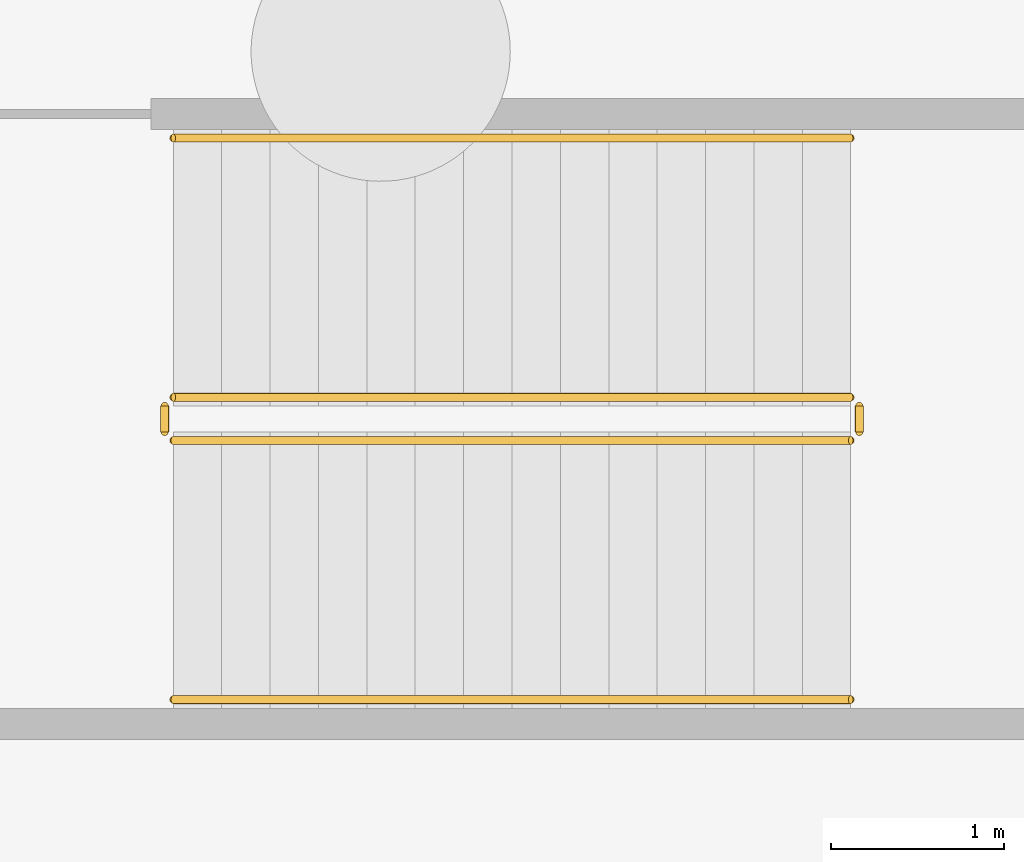
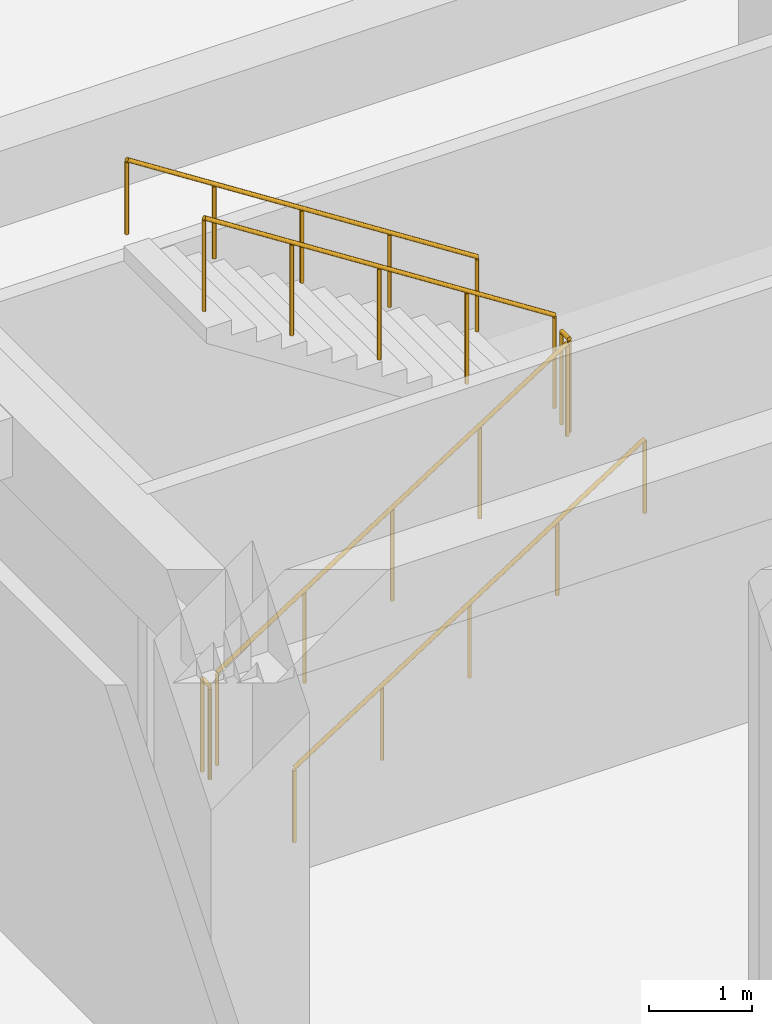
# One storey, part 14 of 18: 6 railings.
"""IFC4 building model written with IfcOpenShell, lengths in metres."""

import ifcopenshell
import ifcopenshell.guid

model = None  # the IFC model being written
_history = None  # IfcOwnerHistory: only IFC2X3 demands one
_inside = {}  # id of a spatial element -> (the spatial element, [elements in it])
_under = {}  # id of a project, library or spatial element -> (it, [spatial elements below it])
_declared = {}  # id of a project -> (the project, [libraries it declares])
_typed = {}  # id of a type object -> (the type object, [elements of that type])
_made_of = {}  # id of a material, layer set ... -> (it, [elements and type objects made of it])


def new_model(schema):
    """Start an empty IFC model of exactly this schema.

    Asked for "IFC4X3", IfcOpenShell would pick the latest addendum, in which some entities
    have other attributes; the version numbers below select the first issue.
    IFC2X3 requires an IfcOwnerHistory on every rooted entity: one is made here for all.
    """
    global model, _history
    if schema == "IFC4X3":
        model = ifcopenshell.file(schema_version=(4, 3, 0, 0))
    else:
        model = ifcopenshell.file(schema=schema)
    _inside.clear()
    _under.clear()
    _declared.clear()
    _typed.clear()
    _made_of.clear()
    _history = None
    if model.schema == "IFC2X3":
        org = make("IfcOrganization", Name="unknown")
        user = make(
            "IfcPersonAndOrganization",
            ThePerson=make("IfcPerson", FamilyName="unknown"),
            TheOrganization=org,
        )
        app = make(
            "IfcApplication",
            ApplicationDeveloper=org,
            Version="unknown",
            ApplicationFullName="unknown",
            ApplicationIdentifier="unknown",
        )
        _history = make(
            "IfcOwnerHistory",
            OwningUser=user,
            OwningApplication=app,
            ChangeAction="ADDED",
            CreationDate=0,
        )
    return model


def make(cls, **values):
    """One entity of the class cls with the attributes given. An attribute that is None is left unset."""
    return model.create_entity(
        cls, **{name: value for name, value in values.items() if value is not None}
    )


def rooted(cls, **values):
    """An entity with a GlobalId (a new one), such as an element, a storey or a relation."""
    return make(cls, GlobalId=ifcopenshell.guid.new(), OwnerHistory=_history, **values)


def si_unit(unit_type, name, prefix=None):
    """IfcSIUnit, for example si_unit("LENGTHUNIT", "METRE", prefix="MILLI")."""
    return make("IfcSIUnit", UnitType=unit_type, Prefix=prefix, Name=name)


def assignment(units):
    """IfcUnitAssignment: the units of a project."""
    return None if units is None else make("IfcUnitAssignment", Units=units)


def point(xyz):
    """IfcCartesianPoint."""
    return None if xyz is None else make("IfcCartesianPoint", Coordinates=xyz)


def direction(xyz):
    """IfcDirection."""
    return None if xyz is None else make("IfcDirection", DirectionRatios=xyz)


def frame(location, z_axis=None, x_axis=None):
    """IfcAxis2Placement3D, a coordinate frame: its origin and axes. An axis left out is left unset."""
    return make(
        "IfcAxis2Placement3D",
        Location=point(location),
        Axis=direction(z_axis),
        RefDirection=direction(x_axis),
    )


def frame_2d(location, x_axis=None):
    """IfcAxis2Placement2D, a coordinate frame in the plane: its origin and x axis."""
    return make(
        "IfcAxis2Placement2D", Location=point(location), RefDirection=direction(x_axis)
    )


def origin():
    """The frame at (0, 0, 0) with its axes left unset."""
    return frame((0.0, 0.0, 0.0))


def origin_2d():
    """The frame at (0, 0) in the plane with its x axis left unset."""
    return frame_2d((0.0, 0.0))


def place(relative_to, where):
    """IfcLocalPlacement: puts the frame where relative to a parent placement (None: the world)."""
    return make(
        "IfcLocalPlacement", PlacementRelTo=relative_to, RelativePlacement=where
    )


def context(
    kind, dimensions, precision=None, world=None, true_north=None, identifier=None
):
    """IfcGeometricRepresentationContext, for example the 3D "Model" context."""
    return make(
        "IfcGeometricRepresentationContext",
        ContextIdentifier=identifier,
        ContextType=kind,
        CoordinateSpaceDimension=dimensions,
        Precision=precision,
        WorldCoordinateSystem=world,
        TrueNorth=true_north,
    )


def subcontext(parent, identifier, kind, view, scale=None):
    """IfcGeometricRepresentationSubContext, for example "Body" below "Model"."""
    return make(
        "IfcGeometricRepresentationSubContext",
        ContextIdentifier=identifier,
        ContextType=kind,
        ParentContext=parent,
        TargetScale=scale,
        TargetView=view,
    )


def project(units=None, contexts=None):
    """IfcProject with its units and contexts."""
    return rooted(
        "IfcProject",
        Name="project",
        RepresentationContexts=contexts,
        UnitsInContext=assignment(units),
    )


def spatial(cls, under=None, at=None, **own):
    """A site, building, storey or space (cls), placed at a placement, below another one or the project."""
    s = rooted(cls, ObjectPlacement=at, **own)
    if under is not None:
        _under.setdefault(under.id(), (under, []))[1].append(s)
    return s


def profile(cls, at=None, kind="AREA", **sizes):
    """A parametric profile (cls). Its sizes go by their IFC names, for example OverallWidth=200.0."""
    return make(cls, ProfileType=kind, Position=at, **sizes)


def circle(**sizes):
    """IfcCircleProfileDef."""
    return profile("IfcCircleProfileDef", **sizes)


def extrude(swept, where, along, depth):
    """IfcExtrudedAreaSolid: the profile swept, set in the frame where, extruded along a direction by depth."""
    return make(
        "IfcExtrudedAreaSolid",
        SweptArea=swept,
        Position=where,
        ExtrudedDirection=direction(along),
        Depth=depth,
    )


def shape(context_of_items, identifier, shape_type, items):
    """IfcShapeRepresentation: the items that make up one representation, for example the "Body"."""
    return make(
        "IfcShapeRepresentation",
        ContextOfItems=context_of_items,
        RepresentationIdentifier=identifier,
        RepresentationType=shape_type,
        Items=items,
    )


def material(Name=None, Category=None):
    """IfcMaterial."""
    return make("IfcMaterial", Name=Name, Category=Category)


def made_of(thing, what):
    """Note that an element or type object is made of a material, layer set ...; save() writes the relation."""
    if what is not None:
        _made_of.setdefault(what.id(), (what, []))[1].append(thing)
    return thing


def type_object(cls, material=None, **own):
    """A type object (cls), such as IfcWallType, which elements share."""
    return made_of(rooted(cls, **own), material)


def element(
    cls,
    number,
    at=None,
    inside=None,
    cuts=None,
    type_object=None,
    material=None,
    context=None,
    identifier="Body",
    shape_type=None,
    held_by="IfcProductDefinitionShape",
    body=None,
    shapes=None,
    **own,
):
    """One element of the class cls, such as IfcWall. Its Tag is "e" and its number.

    at: its placement. inside: the storey or other place that contains it. cuts: it is an
    opening in that element (IfcRelVoidsElement). A single representation is given by context,
    identifier, shape_type and body (its items); several are given by shapes. held_by: the class
    of the entity that holds the representations. save() writes the other relations.
    """
    e = rooted(cls, Tag="e%d" % number, ObjectPlacement=at, **own)
    if body is not None:
        shapes = [shape(context, identifier, shape_type, body)]
    if shapes is not None:
        e.Representation = make(held_by, Representations=shapes)
    if inside is not None:
        _inside.setdefault(inside.id(), (inside, []))[1].append(e)
    if cuts is not None:
        rooted(
            "IfcRelVoidsElement", RelatingBuildingElement=cuts, RelatedOpeningElement=e
        )
    if type_object is not None:
        _typed.setdefault(type_object.id(), (type_object, []))[1].append(e)
    return made_of(e, material)


def aggregate(whole, parts):
    """IfcRelAggregates: a whole, such as a stair, and the parts it consists of."""
    return rooted("IfcRelAggregates", RelatingObject=whole, RelatedObjects=parts)


def save(model, path):
    """Write the relations noted so far, then the file.

    IfcRelAggregates (storeys below a building ...), IfcRelContainedInSpatialStructure (elements
    in a storey), IfcRelDefinesByType, IfcRelAssociatesMaterial and IfcRelDeclares: one each for
    every whole, place, type object, material and project.
    """
    for whole, parts in _under.values():
        aggregate(whole, parts)
    for where, things in _inside.values():
        rooted(
            "IfcRelContainedInSpatialStructure",
            RelatedElements=things,
            RelatingStructure=where,
        )
    for kind, things in _typed.values():
        rooted("IfcRelDefinesByType", RelatedObjects=things, RelatingType=kind)
    for what, things in _made_of.values():
        rooted("IfcRelAssociatesMaterial", RelatedObjects=things, RelatingMaterial=what)
    for by, libraries in _declared.values():
        rooted("IfcRelDeclares", RelatingContext=by, RelatedDefinitions=libraries)
    model.write(path)


model = new_model("IFC4")

# Units and contexts
model_context = context("Model", 3, precision=1e-05, world=origin(), true_north=direction((0.0, 1.0)))
body_context = subcontext(model_context, "Body", "Model", "MODEL_VIEW")
ifc_project = project(units=[si_unit("LENGTHUNIT", "METRE"), si_unit("AREAUNIT", "SQUARE_METRE"), si_unit("VOLUMEUNIT", "CUBIC_METRE"), si_unit("PLANEANGLEUNIT", "RADIAN"), si_unit("MASSUNIT", "GRAM", prefix="KILO")], contexts=[model_context])

# Site, building, storey
site_placement = place(None, origin())
site = spatial("IfcSite", under=ifc_project, at=site_placement, CompositionType="ELEMENT")
building_placement = place(site_placement, origin())
building = spatial("IfcBuilding", under=site, at=building_placement, Name="Saevonmaru Cultural Tower", CompositionType="ELEMENT")
storey_placement = place(building_placement, frame((0.0, 0.0, -10.800048828125)))
storey = spatial("IfcBuildingStorey", under=building, at=storey_placement, Name="B2", CompositionType="ELEMENT", Elevation=-10.800048828125)

# Railings
ifc_material_1 = material(Name="Architectural Painted Steel", Category="steel")
railing_type_1 = type_object("IfcRailingType", Name="RL-STAIR-GUARD", PredefinedType="GUARDRAIL", material=ifc_material_1)
railing_1_placement = place(storey_placement, frame((49.800048828125, 19.75, 0.179931640625)))
element("IfcRailing", 1, at=railing_1_placement, inside=storey, type_object=railing_type_1, Name="B2 SST-2 stair guard 1", PredefinedType="GUARDRAIL", context=body_context, shape_type="SweptSolid", body=[
    extrude(circle(Radius=0.02392578125, at=origin_2d()), frame((0.0, 0.0, 1.09619140625), z_axis=(0.841171666519, 0.0, 0.540768182723), x_axis=(0.0, 1.0, 0.0)), (0.0, 0.0, 1.0), 4.66015625),
    extrude(circle(Radius=0.02099609375, at=origin_2d()), origin(), (0.0, 0.0, 1.0), 1.072021484375),
    extrude(circle(Radius=0.02099609375, at=origin_2d()), frame((0.97998046875, 0.0, 0.6298828125)), (0.0, 0.0, 1.0), 1.072021484375),
    extrude(circle(Radius=0.02099609375, at=origin_2d()), frame((1.9599609375, 0.0, 1.260009765625)), (0.0, 0.0, 1.0), 1.072021484375),
    extrude(circle(Radius=0.02099609375, at=origin_2d()), frame((2.93994140625, 0.0, 1.89013671875)), (0.0, 0.0, 1.0), 1.072021484375),
    extrude(circle(Radius=0.02099609375, at=origin_2d()), frame((3.919921875, 0.0, 2.52001953125)), (0.0, 0.0, 1.0), 1.072021484375),
])
railing_2_placement = place(storey_placement, frame((53.77001953125, 19.800048828125, 2.699951171875)))
element("IfcRailing", 2, at=railing_2_placement, inside=storey, type_object=railing_type_1, Name="B2 SST-2 stair guard 2", PredefinedType="GUARDRAIL", context=body_context, shape_type="SweptSolid", body=[
    extrude(circle(Radius=0.02392578125, at=origin_2d()), frame((0.0, 0.0, 1.09619140625), z_axis=(0.0, 1.0, 0.0), x_axis=(-1.0, 0.0, 0.0)), (0.0, 0.0, 1.0), 0.14990234375),
    extrude(circle(Radius=0.02099609375, at=origin_2d()), origin(), (0.0, 0.0, 1.0), 1.072021484375),
    extrude(circle(Radius=0.02099609375, at=origin_2d()), frame((0.0, 0.14990234375, 0.0)), (0.0, 0.0, 1.0), 1.072021484375),
])
railing_3_placement = place(storey_placement, frame((53.719970703125, 20.0, 2.880126953125)))
element("IfcRailing", 3, at=railing_3_placement, inside=storey, type_object=railing_type_1, Name="B2 SST-2 stair guard 3", PredefinedType="GUARDRAIL", context=body_context, shape_type="SweptSolid", body=[
    extrude(circle(Radius=0.02392578125, at=origin_2d()), frame((0.0, 0.0, 1.09619140625), z_axis=(-0.841171666519, 0.0, 0.540768182723), x_axis=(0.0, -1.0, 0.0)), (0.0, 0.0, 1.0), 4.66015625),
    extrude(circle(Radius=0.02099609375, at=origin_2d()), origin(), (0.0, 0.0, 1.0), 1.072021484375),
    extrude(circle(Radius=0.02099609375, at=origin_2d()), frame((-0.97998046875, 0.0, 0.6298828125)), (0.0, 0.0, 1.0), 1.072021484375),
    extrude(circle(Radius=0.02099609375, at=origin_2d()), frame((-1.9599609375, 0.0, 1.260009765625)), (0.0, 0.0, 1.0), 1.072021484375),
    extrude(circle(Radius=0.02099609375, at=origin_2d()), frame((-2.93994140625, 0.0, 1.89013671875)), (0.0, 0.0, 1.0), 1.072021484375),
    extrude(circle(Radius=0.02099609375, at=origin_2d()), frame((-3.919921875, 0.0, 2.52001953125)), (0.0, 0.0, 1.0), 1.072021484375),
])
railing_4_placement = place(storey_placement, frame((49.75, 19.800048828125, 0.0)))
element("IfcRailing", 4, at=railing_4_placement, inside=storey, type_object=railing_type_1, Name="B2 SST-2 stair guard 4", PredefinedType="GUARDRAIL", context=body_context, shape_type="SweptSolid", body=[
    extrude(circle(Radius=0.02392578125, at=origin_2d()), frame((0.0, 0.0, 1.09619140625), z_axis=(0.0, 1.0, 0.0), x_axis=(-1.0, 0.0, 0.0)), (0.0, 0.0, 1.0), 0.14990234375),
    extrude(circle(Radius=0.02099609375, at=origin_2d()), origin(), (0.0, 0.0, 1.0), 1.072021484375),
    extrude(circle(Radius=0.02099609375, at=origin_2d()), frame((0.0, 0.14990234375, 0.0)), (0.0, 0.0, 1.0), 1.072021484375),
])
ifc_material_2 = material(Name="Satin Bronze Anodised Aluminium", Category="aluminium")
railing_type_2 = type_object("IfcRailingType", Name="RL-STAIR-HANDRAIL", PredefinedType="HANDRAIL", material=ifc_material_2)
railing_5_placement = place(storey_placement, frame((49.800048828125, 18.25, 0.179931640625)))
element("IfcRailing", 5, at=railing_5_placement, inside=storey, type_object=railing_type_2, Name="B2 SST-2 stair handrail 1", PredefinedType="HANDRAIL", context=body_context, shape_type="SweptSolid", body=[
    extrude(circle(Radius=0.02392578125, at=origin_2d()), frame((0.0, 0.0, 0.8759765625), z_axis=(0.841171666519, 0.0, 0.540768182723), x_axis=(0.0, 1.0, 0.0)), (0.0, 0.0, 1.0), 4.66015625),
    extrude(circle(Radius=0.02099609375, at=origin_2d()), origin(), (0.0, 0.0, 1.0), 0.851806640625),
    extrude(circle(Radius=0.02099609375, at=origin_2d()), frame((0.97998046875, 0.0, 0.6298828125)), (0.0, 0.0, 1.0), 0.851806640625),
    extrude(circle(Radius=0.02099609375, at=origin_2d()), frame((1.9599609375, 0.0, 1.260009765625)), (0.0, 0.0, 1.0), 0.851806640625),
    extrude(circle(Radius=0.02099609375, at=origin_2d()), frame((2.93994140625, 0.0, 1.89013671875)), (0.0, 0.0, 1.0), 0.851806640625),
    extrude(circle(Radius=0.02099609375, at=origin_2d()), frame((3.919921875, 0.0, 2.52001953125)), (0.0, 0.0, 1.0), 0.851806640625),
])
railing_6_placement = place(storey_placement, frame((53.719970703125, 21.5, 2.880126953125)))
element("IfcRailing", 6, at=railing_6_placement, inside=storey, type_object=railing_type_2, Name="B2 SST-2 stair handrail 2", PredefinedType="HANDRAIL", context=body_context, shape_type="SweptSolid", body=[
    extrude(circle(Radius=0.02392578125, at=origin_2d()), frame((0.0, 0.0, 0.8759765625), z_axis=(-0.841171666519, 0.0, 0.540768182723), x_axis=(0.0, -1.0, 0.0)), (0.0, 0.0, 1.0), 4.66015625),
    extrude(circle(Radius=0.02099609375, at=origin_2d()), origin(), (0.0, 0.0, 1.0), 0.851806640625),
    extrude(circle(Radius=0.02099609375, at=origin_2d()), frame((-0.97998046875, 0.0, 0.6298828125)), (0.0, 0.0, 1.0), 0.851806640625),
    extrude(circle(Radius=0.02099609375, at=origin_2d()), frame((-1.9599609375, 0.0, 1.260009765625)), (0.0, 0.0, 1.0), 0.851806640625),
    extrude(circle(Radius=0.02099609375, at=origin_2d()), frame((-2.93994140625, 0.0, 1.89013671875)), (0.0, 0.0, 1.0), 0.851806640625),
    extrude(circle(Radius=0.02099609375, at=origin_2d()), frame((-3.919921875, 0.0, 2.52001953125)), (0.0, 0.0, 1.0), 0.851806640625),
])

save(model, "model.ifc")
